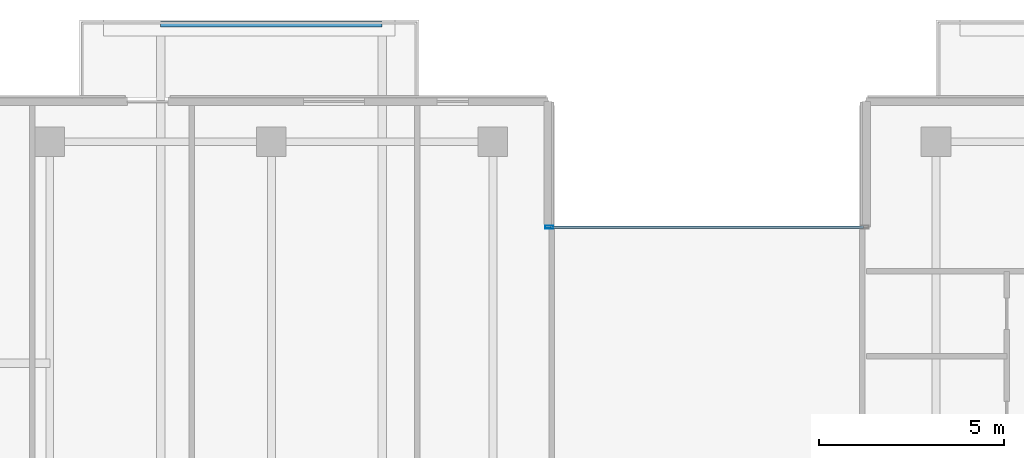
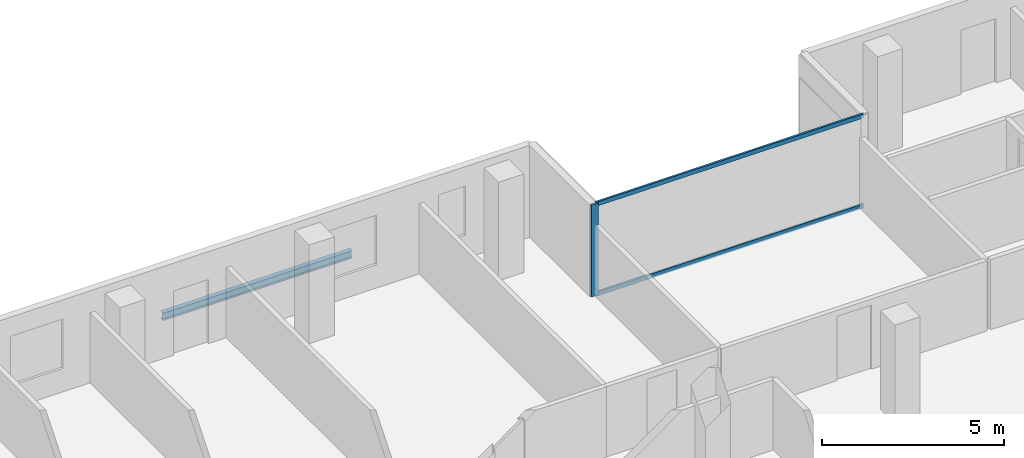
# One storey, part 10 of 29: 3 members, 1 beam, 1 element without a shape of its own.
"""IFC4 building model written with IfcOpenShell, lengths in metres."""

from ifc_helpers import new_model, si_unit, direction, frame, origin, origin_2d, place, context, subcontext, project, spatial, hollow_rectangle, i_section, extrude, material, layer, layer_set, material_profile, profile_set, type_object, element, aggregate, save


model = new_model("IFC4")

# Units and contexts
model_context = context("Model", 3, precision=1e-05, world=origin(), true_north=direction((0.0, 1.0)))
body_context = subcontext(model_context, "Body", "Model", "MODEL_VIEW")
ifc_project = project(units=[si_unit("LENGTHUNIT", "METRE"), si_unit("AREAUNIT", "SQUARE_METRE"), si_unit("VOLUMEUNIT", "CUBIC_METRE"), si_unit("PLANEANGLEUNIT", "RADIAN"), si_unit("MASSUNIT", "GRAM", prefix="KILO")], contexts=[model_context])

# Site, building, storey
site_placement = place(None, origin())
site = spatial("IfcSite", under=ifc_project, at=site_placement, CompositionType="ELEMENT")
building_placement = place(site_placement, origin())
building = spatial("IfcBuilding", under=site, at=building_placement, Name="Tanjung Sevakor Pilgrim Tower", CompositionType="ELEMENT")
storey_placement = place(building_placement, frame((0.0, 0.0, 181.830078125)))
storey = spatial("IfcBuildingStorey", under=building, at=storey_placement, Name="L50", CompositionType="ELEMENT", Elevation=181.830078125)

# Beam
ifc_material_1 = material(Name="Steel S355J2", Category="steel")
ifc_material_profile_1 = material_profile(ifc_material_1, i_section(OverallWidth=0.146484375, OverallDepth=0.256103515625, WebThickness=0.00634765625, FlangeThickness=0.010986328125, FilletRadius=0.007568359375, at=origin_2d()))
ifc_profile_set_1 = profile_set([ifc_material_profile_1], Name="Steel S355J2")
beam_type = type_object("IfcBeamType", Name="BM-B-J6-UB_254x146x37", PredefinedType="JOIST", material=ifc_profile_set_1)
beam_placement = place(storey_placement, frame((33.0, 57.1298828125, -0.328125), z_axis=(1.0, 0.0, 0.0), x_axis=(0.0, 1.0, 0.0)))
element("IfcBeam", 1, at=beam_placement, inside=storey, type_object=beam_type, Name="L50 Balcony Rim Tie MAIN-N1", PredefinedType="JOIST", context=body_context, shape_type="SweptSolid", body=[
    extrude(i_section(OverallWidth=0.146484375, OverallDepth=0.256103515625, WebThickness=0.00634765625, FlangeThickness=0.010986328125, FilletRadius=0.007568359375, at=origin_2d()), origin(), (0.0, 0.0, 1.0), 6.0),
])

# Curtain wall, members
ifc_material_2 = material(Name="Aluminium 6063-T6 and Low-E Glass", Category="aluminium")
ifc_layer = layer(ifc_material_2, 0.179931640625)
ifc_layer_set = layer_set([ifc_layer], Name="CW-SYS-CLEFT")
curtain_wall_type = type_object("IfcCurtainWallType", Name="CW-SYS-CLEFT", PredefinedType="NOTDEFINED", material=ifc_layer_set)
curtain_wall_placement = place(storey_placement, origin())
curtain_wall = element("IfcCurtainWall", 2, at=curtain_wall_placement, inside=storey, type_object=curtain_wall_type, Name="L50 Curtain Wall CW-CLF-L50-10", PredefinedType="NOTDEFINED")
ifc_material_3 = material(Name="Aluminium 6063-T6", Category="aluminium")
ifc_material_profile_2 = material_profile(ifc_material_3, hollow_rectangle(XDim=0.074951171875, YDim=0.219970703125, WallThickness=0.0048828125, at=origin_2d()))
ifc_profile_set_2 = profile_set([ifc_material_profile_2], Name="Aluminium 6063-T6")
member_type_1 = type_object("IfcMemberType", Name="TYPE-CWM-2", PredefinedType="MULLION", material=ifc_profile_set_2)
member_1_placement = place(storey_placement, frame((43.527587890625, 51.639892578125, 0.0), z_axis=(0.0, 0.0, 1.0), x_axis=(0.0, -1.0, 0.0)))
member_1 = element("IfcMember", 3, at=member_1_placement, type_object=member_type_1, Name="CW-CLF mullion 2", PredefinedType="MULLION", context=body_context, shape_type="SweptSolid", body=[
    extrude(hollow_rectangle(XDim=0.074951171875, YDim=0.219970703125, WallThickness=0.0048828125, at=origin_2d()), origin(), (0.0, 0.0, 1.0), 3.079833984375),
])
ifc_material_4 = material(Name="Aluminium 6063-T6", Category="aluminium")
ifc_material_profile_3 = material_profile(ifc_material_4, hollow_rectangle(XDim=0.06494140625, YDim=0.139892578125, WallThickness=0.00390625, at=origin_2d()))
ifc_profile_set_3 = profile_set([ifc_material_profile_3], Name="Aluminium 6063-T6")
member_type_2 = type_object("IfcMemberType", Name="TYPE-CWT-1", PredefinedType="USERDEFINED", material=ifc_profile_set_3)
member_2_placement = place(storey_placement, frame((52.034912109375, 51.639892578125, 0.032470703125), z_axis=(-1.0, 0.0, 0.0), x_axis=(0.0, -1.0, 0.0)))
member_2 = element("IfcMember", 4, at=member_2_placement, type_object=member_type_2, Name="CW-CLF transom 1.1", ObjectType="TRANSOM", PredefinedType="USERDEFINED", context=body_context, shape_type="SweptSolid", body=[
    extrude(hollow_rectangle(XDim=0.06494140625, YDim=0.139892578125, WallThickness=0.00390625, at=origin_2d()), origin(), (0.0, 0.0, 1.0), 8.469970703125),
])
member_3_placement = place(storey_placement, frame((52.034912109375, 51.639892578125, 3.04736328125), z_axis=(-1.0, 0.0, 0.0), x_axis=(0.0, -1.0, 0.0)))
member_3 = element("IfcMember", 5, at=member_3_placement, type_object=member_type_2, Name="CW-CLF transom 1.2", ObjectType="TRANSOM", PredefinedType="USERDEFINED", context=body_context, shape_type="SweptSolid", body=[
    extrude(hollow_rectangle(XDim=0.06494140625, YDim=0.139892578125, WallThickness=0.00390625, at=origin_2d()), origin(), (0.0, 0.0, 1.0), 8.469970703125),
])
aggregate(curtain_wall, [member_1, member_2, member_3])

save(model, "model.ifc")
